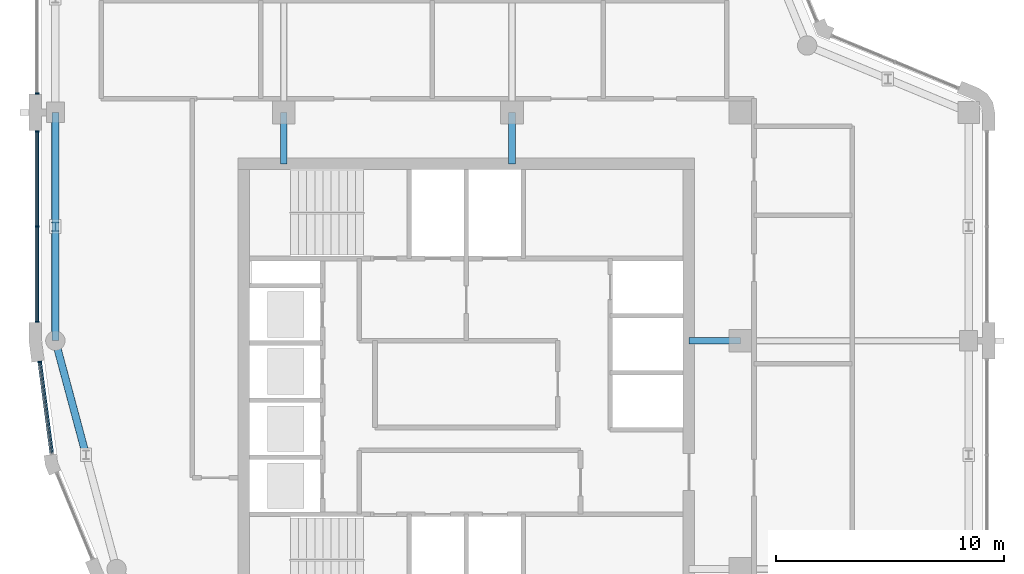
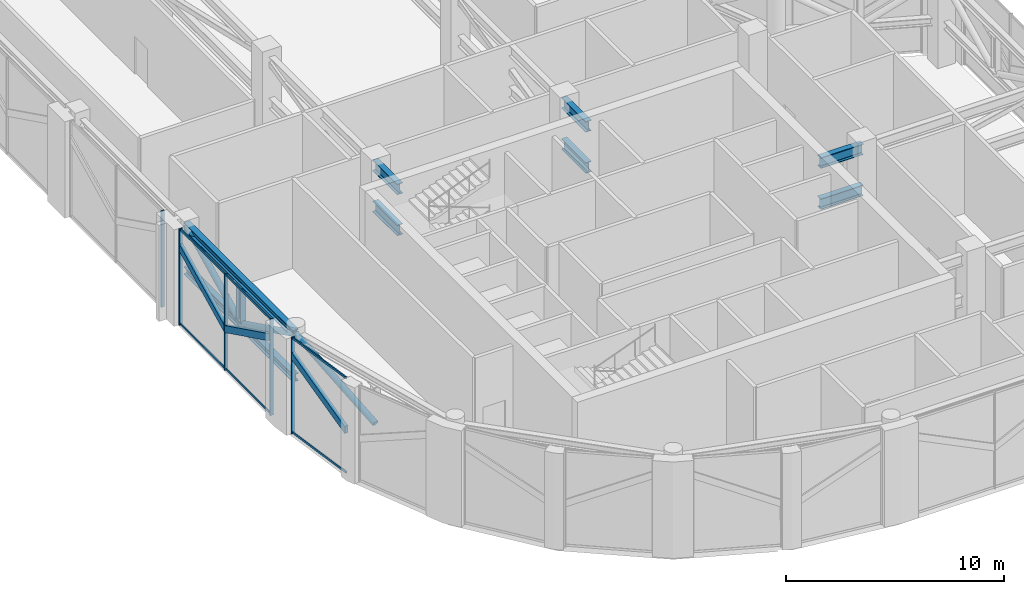
# One storey, part 4 of 18: 26 members, 3 elements without a shape of their own.
"""IFC4 building model written with IfcOpenShell, lengths in metres."""

from ifc_helpers import new_model, si_unit, direction, frame, origin, origin_2d, place, context, subcontext, project, spatial, polyline, rectangle, hollow_circle, i_section, outline, extrude, material, layer, layer_set, material_profile, profile_set, type_object, element, aggregate, save


model = new_model("IFC4")

# Units and contexts
model_context = context("Model", 3, precision=1e-05, world=origin(), true_north=direction((0.0, 1.0)))
body_context = subcontext(model_context, "Body", "Model", "MODEL_VIEW")
ifc_project = project(units=[si_unit("LENGTHUNIT", "METRE"), si_unit("AREAUNIT", "SQUARE_METRE"), si_unit("VOLUMEUNIT", "CUBIC_METRE"), si_unit("PLANEANGLEUNIT", "RADIAN"), si_unit("MASSUNIT", "GRAM", prefix="KILO")], contexts=[model_context])

# Site, building, storey
site_placement = place(None, origin())
site = spatial("IfcSite", under=ifc_project, at=site_placement, CompositionType="ELEMENT")
building_placement = place(site_placement, origin())
building = spatial("IfcBuilding", under=site, at=building_placement, Name="Qaws Garden Tower", CompositionType="ELEMENT")
storey_placement = place(building_placement, frame((0.0, 0.0, 352.800048828125)))
storey = spatial("IfcBuildingStorey", under=building, at=storey_placement, Name="L86", CompositionType="ELEMENT", Elevation=352.800048828125)

# Members
ifc_material_1 = material(Name="Steel S355", Category="steel")
ifc_material_profile_1 = material_profile(ifc_material_1, i_section(OverallWidth=0.306884765625, OverallDepth=0.431884765625, WebThickness=0.02099609375, FlangeThickness=0.0400390625, FilletRadius=0.027099609375, at=origin_2d()), Name="HEM 400")
ifc_profile_set_1 = profile_set([ifc_material_profile_1], Name="Steel S355")
member_type_1 = type_object("IfcMemberType", Name="Belt chord HEM 400", PredefinedType="CHORD", material=ifc_profile_set_1)
for number, where, z_axis, x_axis, name in (
    (1, (0.0, 30.0, 4.783935546875), (0.0, -1.0, 0.0), (1.0, 0.0, 0.0), "Belt truss top chord 17"),
    (2, (0.0, 30.0, 2.31591796875), (0.0, -1.0, 0.0), (1.0, 0.0, 0.0), "Belt truss bottom chord 17"),
):
    element("IfcMember", number, at=place(storey_placement, frame(where, z_axis=z_axis, x_axis=x_axis)), inside=storey, type_object=member_type_1, Name=name, PredefinedType="CHORD", context=body_context, shape_type="SweptSolid", body=[
        extrude(i_section(OverallWidth=0.306884765625, OverallDepth=0.431884765625, WebThickness=0.02099609375, FlangeThickness=0.0400390625, FilletRadius=0.027099609375, at=origin_2d()), origin(), (0.0, 0.0, 1.0), 10.0),
    ])
ifc_material_2 = material(Name="Steel S355", Category="steel")
ifc_material_profile_2 = material_profile(ifc_material_2, hollow_circle(Radius=0.161865234375, WallThickness=0.01611328125, at=origin_2d()), Name="CHS 323.9x16")
ifc_profile_set_2 = profile_set([ifc_material_profile_2], Name="Steel S355")
member_type_2 = type_object("IfcMemberType", Name="Belt diagonal CHS 323.9x16", PredefinedType="BRACE", material=ifc_profile_set_2)
for number, where, z_axis, x_axis, name in (
    (3, (0.0, 30.0, 4.783935546875), (0.0, -0.896709736444, -0.442619078404), (1.0, 0.0, 0.0), "Belt truss diagonal 17a"),
    (4, (0.0, 25.0, 2.31591796875), (0.0, -0.896709736444, 0.442619078404), (1.0, 0.0, 0.0), "Belt truss diagonal 17b"),
):
    element("IfcMember", number, at=place(storey_placement, frame(where, z_axis=z_axis, x_axis=x_axis)), inside=storey, type_object=member_type_2, Name=name, PredefinedType="BRACE", context=body_context, shape_type="SweptSolid", body=[
        extrude(hollow_circle(Radius=0.161865234375, WallThickness=0.01611328125, at=origin_2d()), origin(), (0.0, 0.0, 1.0), 5.575927734375),
    ])
member_1_placement = place(storey_placement, frame((0.0, 20.0, 4.783935546875), z_axis=(0.233599482915, -0.871900384563, -0.430373095095), x_axis=(0.965932894277, 0.258792665571, 0.0)))
element("IfcMember", 5, at=member_1_placement, inside=storey, type_object=member_type_2, Name="Belt truss diagonal 18a", PredefinedType="BRACE", context=body_context, shape_type="SweptSolid", body=[
    extrude(hollow_circle(Radius=0.161865234375, WallThickness=0.01611328125, at=origin_2d()), origin(), (0.0, 0.0, 1.0), 5.734619140625),
])
ifc_material_3 = material(Name="Steel S355", Category="steel")
ifc_material_profile_3 = material_profile(ifc_material_3, i_section(OverallWidth=0.300048828125, OverallDepth=0.39990234375, WebThickness=0.013427734375, FlangeThickness=0.02392578125, FilletRadius=0.027099609375, at=origin_2d()), Name="HEB 400")
ifc_profile_set_3 = profile_set([ifc_material_profile_3], Name="Steel S355")
member_type_3 = type_object("IfcMemberType", Name="Belt post HEB 400", PredefinedType="POST", material=ifc_profile_set_3)
member_2_placement = place(storey_placement, frame((0.0, 25.0, 2.531982421875), z_axis=(0.0, 0.0, 1.0), x_axis=(1.0, 0.0, 0.0)))
element("IfcMember", 6, at=member_2_placement, inside=storey, type_object=member_type_3, Name="Belt truss post 17", PredefinedType="POST", context=body_context, shape_type="SweptSolid", body=[
    extrude(i_section(OverallWidth=0.300048828125, OverallDepth=0.39990234375, WebThickness=0.013427734375, FlangeThickness=0.02392578125, FilletRadius=0.027099609375, at=origin_2d()), origin(), (0.0, 0.0, 1.0), 2.035888671875),
])

# Curtain wall, members
ifc_material_4 = material(Name="Anodised aluminium curtain wall frame", Category="aluminium")
ifc_layer = layer(ifc_material_4, 0.159912109375)
ifc_layer_set = layer_set([ifc_layer], Name="Anodised aluminium curtain wall frame")
curtain_wall_type = type_object("IfcCurtainWallType", Name="CW6 plant floor louvre glazing curtain wall", PredefinedType="NOTDEFINED", material=ifc_layer_set)
placement_1 = place(storey_placement, origin())
curtain_wall_1 = element("IfcCurtainWall", 7, at=placement_1, inside=storey, type_object=curtain_wall_type, Name="CW6 Plant floor louvre glazing 20", PredefinedType="NOTDEFINED")
ifc_material_5 = material(Name="Anodised aluminium curtain wall frame", Category="aluminium")
ifc_material_profile_4 = material_profile(ifc_material_5, rectangle(XDim=0.179931640625, YDim=0.360107421875, at=origin_2d()), Name="AL 180x360")
ifc_profile_set_4 = profile_set([ifc_material_profile_4], Name="Anodised aluminium curtain wall frame")
member_type_4 = type_object("IfcMemberType", Name="CW6 inclined transom 360 x 180", PredefinedType="USERDEFINED", material=ifc_profile_set_4)
placement_2 = place(storey_placement, frame((-0.800048828125, 29.199951171875, 0.119873046875), z_axis=(0.0, 0.0, 1.0), x_axis=(0.0, -1.0, 0.0)))
member_3 = element("IfcMember", 8, at=placement_2, type_object=member_type_4, Name="CW6 inclined transom 1.1", ObjectType="TRANSOM", PredefinedType="USERDEFINED", context=body_context, shape_type="SweptSolid", body=[
    extrude(outline(polyline([(0.06005859375, 4.038818359375), (4.169921875, 2.01025390625), (4.169921875, 2.41162109375), (0.06005859375, 4.440185546875), (0.06005859375, 4.038818359375)])), frame((0.0, 0.08984375, 0.0), z_axis=(0.0, -1.0, 0.0), x_axis=(1.0, 0.0, 0.0)), (0.0, 0.0, 1.0), 0.179931640625),
])
member_4 = element("IfcMember", 9, at=placement_2, type_object=member_type_4, Name="CW6 inclined transom 2.1", ObjectType="TRANSOM", PredefinedType="USERDEFINED", context=body_context, shape_type="SweptSolid", body=[
    extrude(outline(polyline([(4.22998046875, 2.01025390625), (8.340087890625, 4.038818359375), (8.340087890625, 4.440185546875), (4.22998046875, 2.41162109375), (4.22998046875, 2.01025390625)])), frame((0.0, 0.08984375, 0.0), z_axis=(0.0, -1.0, 0.0), x_axis=(1.0, 0.0, 0.0)), (0.0, 0.0, 1.0), 0.179931640625),
])

# Curtain wall, member
curtain_wall_2 = element("IfcCurtainWall", 10, at=placement_1, inside=storey, type_object=curtain_wall_type, Name="CW6 Plant floor louvre glazing 21", PredefinedType="NOTDEFINED")
member_5_placement = place(storey_placement, frame((-0.688720703125, 19.1025390625, 0.119873046875), z_axis=(0.0, 0.0, 1.0), x_axis=(0.130506614913, -0.991447438579, 0.0)))
member_5 = element("IfcMember", 11, at=member_5_placement, type_object=member_type_4, Name="CW6 inclined transom 1.1", ObjectType="TRANSOM", PredefinedType="USERDEFINED", context=body_context, shape_type="SweptSolid", body=[
    extrude(outline(polyline([(0.06005859375, 4.05078125), (4.06103515625, 2.126708984375), (4.06103515625, 2.526123046875), (0.06005859375, 4.4501953125), (0.06005859375, 4.05078125)])), frame((0.0, 0.08984375, 0.0), z_axis=(0.0, -1.0, 0.0), x_axis=(1.0, 0.0, 0.0)), (0.0, 0.0, 1.0), 0.179931640625),
])

curtain_wall_3 = element("IfcCurtainWall", 12, at=placement_1, inside=storey, type_object=curtain_wall_type, Name="CW6 Plant floor louvre glazing 19", PredefinedType="NOTDEFINED")
ifc_material_6 = material(Name="Anodised aluminium curtain wall frame", Category="aluminium")
ifc_material_profile_5 = material_profile(ifc_material_6, rectangle(XDim=0.179931640625, YDim=0.06005859375, at=origin_2d()), Name="AL 60x180")
ifc_profile_set_5 = profile_set([ifc_material_profile_5], Name="Anodised aluminium curtain wall frame")
member_type_5 = type_object("IfcMemberType", Name="CW6 mullion 60 x 180", PredefinedType="MULLION", material=ifc_profile_set_5)
member_6_placement = place(storey_placement, frame((-0.800048828125, 30.830078125, 0.0), z_axis=(0.0, 0.0, 1.0), x_axis=(1.0, 0.0, 0.0)))
member_6 = element("IfcMember", 13, at=member_6_placement, type_object=member_type_5, Name="CW6 mullion 3", PredefinedType="MULLION", context=body_context, shape_type="SweptSolid", body=[
    extrude(rectangle(XDim=0.179931640625, YDim=0.06005859375, at=origin_2d()), origin(), (0.0, 0.0, 1.0), 5.39990234375),
])
aggregate(curtain_wall_3, [member_6])

# Member
member_7_placement = place(storey_placement, frame((-0.800048828125, 29.169921875, 0.0), z_axis=(0.0, 0.0, 1.0), x_axis=(1.0, 0.0, 0.0)))
member_7 = element("IfcMember", 14, at=member_7_placement, type_object=member_type_5, Name="CW6 mullion 1", PredefinedType="MULLION", context=body_context, shape_type="SweptSolid", body=[
    extrude(rectangle(XDim=0.179931640625, YDim=0.06005859375, at=origin_2d()), origin(), (0.0, 0.0, 1.0), 5.39990234375),
])

member_8_placement = place(storey_placement, frame((-0.800048828125, 25.0, 0.0), z_axis=(0.0, 0.0, 1.0), x_axis=(1.0, 0.0, 0.0)))
member_8 = element("IfcMember", 15, at=member_8_placement, type_object=member_type_5, Name="CW6 mullion 2", PredefinedType="MULLION", context=body_context, shape_type="SweptSolid", body=[
    extrude(rectangle(XDim=0.179931640625, YDim=0.06005859375, at=origin_2d()), origin(), (0.0, 0.0, 1.0), 5.39990234375),
])

member_9_placement = place(storey_placement, frame((-0.800048828125, 20.830078125, 0.0), z_axis=(0.0, 0.0, 1.0), x_axis=(1.0, 0.0, 0.0)))
member_9 = element("IfcMember", 16, at=member_9_placement, type_object=member_type_5, Name="CW6 mullion 3", PredefinedType="MULLION", context=body_context, shape_type="SweptSolid", body=[
    extrude(rectangle(XDim=0.179931640625, YDim=0.06005859375, at=origin_2d()), origin(), (0.0, 0.0, 1.0), 5.39990234375),
])

member_10_placement = place(storey_placement, frame((-0.684814453125, 19.07275390625, 0.0), z_axis=(0.0, 0.0, 1.0), x_axis=(0.991444861397, 0.130526192047, 0.0)))
member_10 = element("IfcMember", 17, at=member_10_placement, type_object=member_type_5, Name="CW6 mullion 1", PredefinedType="MULLION", context=body_context, shape_type="SweptSolid", body=[
    extrude(rectangle(XDim=0.179931640625, YDim=0.06005859375, at=origin_2d()), origin(), (0.0, 0.0, 1.0), 5.39990234375),
])

ifc_material_7 = material(Name="Anodised aluminium curtain wall frame", Category="aluminium")
ifc_material_profile_6 = material_profile(ifc_material_7, rectangle(XDim=0.06005859375, YDim=0.1201171875, at=origin_2d()), Name="AL 60x120")
ifc_profile_set_6 = profile_set([ifc_material_profile_6], Name="Anodised aluminium curtain wall frame")
member_type_6 = type_object("IfcMemberType", Name="CW6 transom 120 x 60", PredefinedType="USERDEFINED", material=ifc_profile_set_6)
member_11_placement = place(storey_placement, frame((-0.800048828125, 29.139892578125, 0.06005859375), z_axis=(0.0, -1.0, 0.0), x_axis=(1.0, 0.0, 0.0)))
member_11 = element("IfcMember", 18, at=member_11_placement, type_object=member_type_6, Name="CW6 transom 1.1", ObjectType="TRANSOM", PredefinedType="USERDEFINED", context=body_context, shape_type="SweptSolid", body=[
    extrude(rectangle(XDim=0.06005859375, YDim=0.1201171875, at=origin_2d()), origin(), (0.0, 0.0, 1.0), 4.10986328125),
])

member_12_placement = place(storey_placement, frame((-0.800048828125, 29.139892578125, 5.33984375), z_axis=(0.0, -1.0, 0.0), x_axis=(1.0, 0.0, 0.0)))
member_12 = element("IfcMember", 19, at=member_12_placement, type_object=member_type_6, Name="CW6 transom 1.2", ObjectType="TRANSOM", PredefinedType="USERDEFINED", context=body_context, shape_type="SweptSolid", body=[
    extrude(rectangle(XDim=0.06005859375, YDim=0.1201171875, at=origin_2d()), origin(), (0.0, 0.0, 1.0), 4.10986328125),
])

member_13_placement = place(storey_placement, frame((-0.800048828125, 24.969970703125, 0.06005859375), z_axis=(0.0, -1.0, 0.0), x_axis=(1.0, 0.0, 0.0)))
member_13 = element("IfcMember", 20, at=member_13_placement, type_object=member_type_6, Name="CW6 transom 2.1", ObjectType="TRANSOM", PredefinedType="USERDEFINED", context=body_context, shape_type="SweptSolid", body=[
    extrude(rectangle(XDim=0.06005859375, YDim=0.1201171875, at=origin_2d()), origin(), (0.0, 0.0, 1.0), 4.10986328125),
])

member_14_placement = place(storey_placement, frame((-0.800048828125, 24.969970703125, 5.33984375), z_axis=(0.0, -1.0, 0.0), x_axis=(1.0, 0.0, 0.0)))
member_14 = element("IfcMember", 21, at=member_14_placement, type_object=member_type_6, Name="CW6 transom 2.2", ObjectType="TRANSOM", PredefinedType="USERDEFINED", context=body_context, shape_type="SweptSolid", body=[
    extrude(rectangle(XDim=0.06005859375, YDim=0.1201171875, at=origin_2d()), origin(), (0.0, 0.0, 1.0), 4.10986328125),
])

aggregate(curtain_wall_1, [member_7, member_8, member_9, member_11, member_12, member_3, member_13, member_14, member_4])

member_15_placement = place(storey_placement, frame((-0.680908203125, 19.04296875, 0.06005859375), z_axis=(0.13052080717, -0.991445570314, 0.0), x_axis=(0.991445570314, 0.13052080717, 0.0)))
member_15 = element("IfcMember", 22, at=member_15_placement, type_object=member_type_6, Name="CW6 transom 1.1", ObjectType="TRANSOM", PredefinedType="USERDEFINED", context=body_context, shape_type="SweptSolid", body=[
    extrude(rectangle(XDim=0.06005859375, YDim=0.1201171875, at=origin_2d()), origin(), (0.0, 0.0, 1.0), 4.0009765625),
])

member_16_placement = place(storey_placement, frame((-0.680908203125, 19.04296875, 5.33984375), z_axis=(0.13052080717, -0.991445570314, 0.0), x_axis=(0.991445570314, 0.13052080717, 0.0)))
member_16 = element("IfcMember", 23, at=member_16_placement, type_object=member_type_6, Name="CW6 transom 1.2", ObjectType="TRANSOM", PredefinedType="USERDEFINED", context=body_context, shape_type="SweptSolid", body=[
    extrude(rectangle(XDim=0.06005859375, YDim=0.1201171875, at=origin_2d()), origin(), (0.0, 0.0, 1.0), 4.0009765625),
])

aggregate(curtain_wall_2, [member_10, member_15, member_16, member_5])

# Members
ifc_material_8 = material(Name="Steel S355", Category="steel")
ifc_material_profile_7 = material_profile(ifc_material_8, i_section(OverallWidth=0.300048828125, OverallDepth=0.60009765625, WebThickness=0.015380859375, FlangeThickness=0.030029296875, FilletRadius=0.027099609375, at=origin_2d()), Name="HEB 600")
ifc_profile_set_7 = profile_set([ifc_material_profile_7], Name="Steel S355")
member_type_7 = type_object("IfcMemberType", Name="Outrigger chord HEB 600", PredefinedType="CHORD", material=ifc_profile_set_7)
for number, where, z_axis, x_axis, name in (
    (24, (27.75, 20.0, 4.699951171875), (1.0, 0.0, 0.0), (0.0, 1.0, 0.0), "Outrigger 2 top chord 1"),
    (25, (27.75, 20.0, 2.39990234375), (1.0, 0.0, 0.0), (0.0, 1.0, 0.0), "Outrigger 2 bottom chord 1"),
    (26, (10.0, 27.75, 4.699951171875), (0.0, 1.0, 0.0), (-1.0, 0.0, 0.0), "Outrigger 3 top chord 1"),
    (27, (10.0, 27.75, 2.39990234375), (0.0, 1.0, 0.0), (-1.0, 0.0, 0.0), "Outrigger 3 bottom chord 1"),
    (28, (20.0, 27.75, 4.699951171875), (0.0, 1.0, 0.0), (-1.0, 0.0, 0.0), "Outrigger 4 top chord 1"),
    (29, (20.0, 27.75, 2.39990234375), (0.0, 1.0, 0.0), (-1.0, 0.0, 0.0), "Outrigger 4 bottom chord 1"),
):
    element("IfcMember", number, at=place(storey_placement, frame(where, z_axis=z_axis, x_axis=x_axis)), inside=storey, type_object=member_type_7, Name=name, PredefinedType="CHORD", context=body_context, shape_type="SweptSolid", body=[
        extrude(i_section(OverallWidth=0.300048828125, OverallDepth=0.60009765625, WebThickness=0.015380859375, FlangeThickness=0.030029296875, FilletRadius=0.027099609375, at=origin_2d()), origin(), (0.0, 0.0, 1.0), 2.25),
    ])

save(model, "model.ifc")
